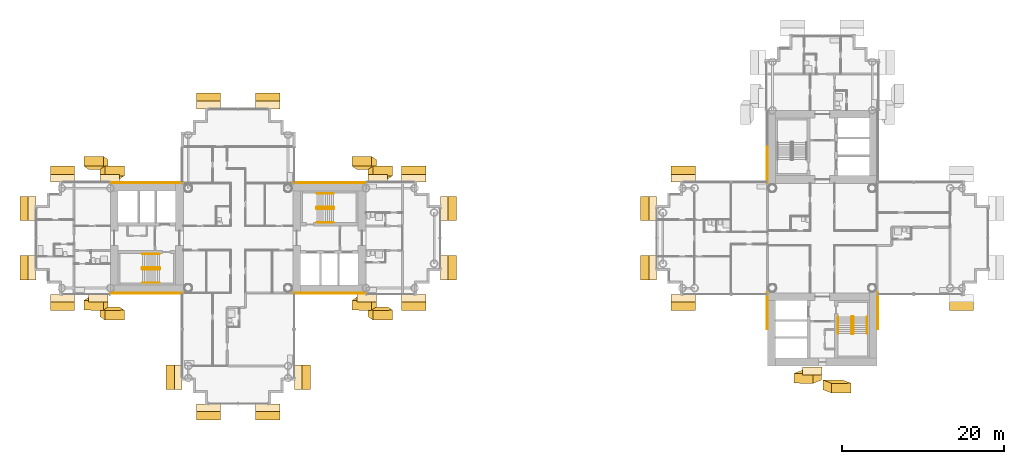
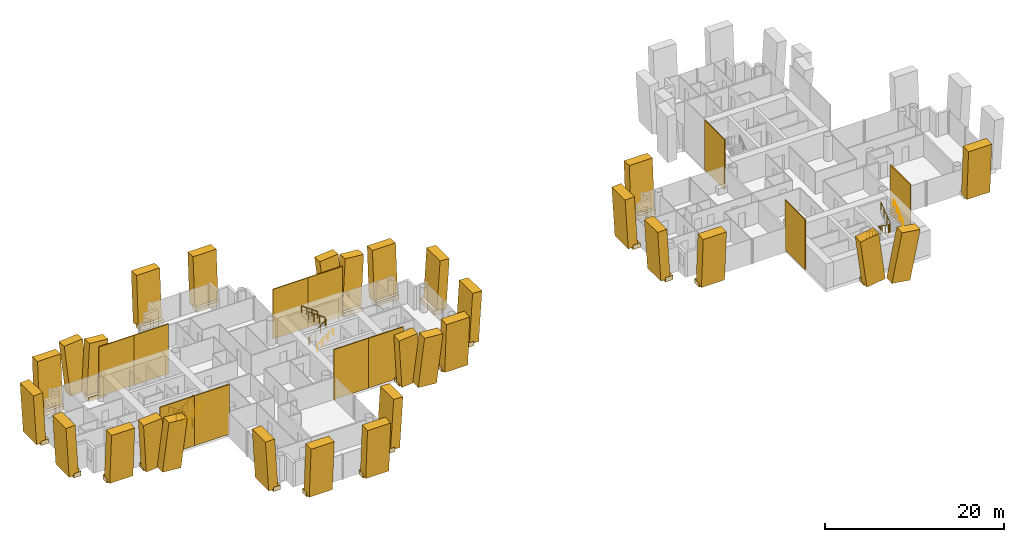
# One storey, part 19 of 21: 63 coverings, 9 railings.
"""IFC4 building model written with IfcOpenShell, lengths in metres."""

from ifc_helpers import new_model, si_unit, direction, frame, origin, origin_2d, place, context, subcontext, project, spatial, rectangle, circle, extrude, material, layer, layer_set, material_profile, profile_set, type_object, element, save


model = new_model("IFC4")

# Units and contexts
model_context = context("Model", 3, precision=1e-05, world=origin(), true_north=direction((0.0, 1.0)))
body_context = subcontext(model_context, "Body", "Model", "MODEL_VIEW")
ifc_project = project(units=[si_unit("LENGTHUNIT", "METRE"), si_unit("AREAUNIT", "SQUARE_METRE"), si_unit("VOLUMEUNIT", "CUBIC_METRE"), si_unit("PLANEANGLEUNIT", "RADIAN"), si_unit("MASSUNIT", "GRAM", prefix="KILO")], contexts=[model_context])

# Site, building, storey
site_placement = place(None, origin())
site = spatial("IfcSite", under=ifc_project, at=site_placement, CompositionType="ELEMENT")
building_placement = place(site_placement, origin())
building = spatial("IfcBuilding", under=site, at=building_placement, Name="Ipe Terrace Towers", CompositionType="ELEMENT")
storey_placement = place(building_placement, frame((0.0, 0.0, 107.199951171875)))
storey = spatial("IfcBuildingStorey", under=building, at=storey_placement, Name="L29", CompositionType="ELEMENT", Elevation=107.199951171875)

# Coverings
ifc_material_1 = material(Name="Concrete C50/60 precast, buff finish", Category="concrete")
ifc_layer = layer(ifc_material_1, 0.1201171875)
ifc_layer_set = layer_set([ifc_layer], Name="STONE CORE CLADDING 120")
covering_type_1 = type_object("IfcCoveringType", Name="STONE CORE CLADDING 120", PredefinedType="CLADDING", material=ifc_layer_set)
covering_1_placement = place(storey_placement, frame((-49.5009765625, -6.81005859375, 0.0), z_axis=(0.0, 0.0, 1.0), x_axis=(1.0, 0.0, 0.0)))
element("IfcCovering", 1, at=covering_1_placement, inside=storey, type_object=covering_type_1, Name="stone core cladding", PredefinedType="CLADDING", context=body_context, shape_type="SweptSolid", body=[
    extrude(rectangle(XDim=4.5009765625, YDim=0.1201171875, at=origin_2d()), origin(), (0.0, 0.0, 1.0), 6.800048828125),
])
covering_2_placement = place(storey_placement, frame((-45.0, -6.81005859375, 0.0), z_axis=(0.0, 0.0, 1.0), x_axis=(1.0, 0.0, 0.0)))
element("IfcCovering", 2, at=covering_2_placement, inside=storey, type_object=covering_type_1, Name="stone core cladding", PredefinedType="CLADDING", context=body_context, shape_type="SweptSolid", body=[
    extrude(rectangle(XDim=4.5, YDim=0.1201171875, at=origin_2d()), origin(), (0.0, 0.0, 1.0), 6.800048828125),
])
covering_3_placement = place(storey_placement, frame((-49.5009765625, 6.81005859375, 0.0), z_axis=(0.0, 0.0, 1.0), x_axis=(-1.0, 0.0, 0.0)))
element("IfcCovering", 3, at=covering_3_placement, inside=storey, type_object=covering_type_1, Name="stone core cladding", PredefinedType="CLADDING", context=body_context, shape_type="SweptSolid", body=[
    extrude(rectangle(XDim=4.5009765625, YDim=0.1201171875, at=origin_2d()), origin(), (0.0, 0.0, 1.0), 6.800048828125),
])
for number, where, z_axis, x_axis, name in (
    (4, (-45.0, 6.81005859375, 0.0), (0.0, 0.0, 1.0), (-1.0, 0.0, 0.0), "stone core cladding"),
    (5, (-27.0, -6.81005859375, 0.0), (0.0, 0.0, 1.0), (1.0, 0.0, 0.0), "stone core cladding"),
):
    element("IfcCovering", number, at=place(storey_placement, frame(where, z_axis=z_axis, x_axis=x_axis)), inside=storey, type_object=covering_type_1, Name=name, PredefinedType="CLADDING", context=body_context, shape_type="SweptSolid", body=[
        extrude(rectangle(XDim=4.5, YDim=0.1201171875, at=origin_2d()), origin(), (0.0, 0.0, 1.0), 6.800048828125),
    ])
covering_4_placement = place(storey_placement, frame((-22.4990234375, -6.81005859375, 0.0), z_axis=(0.0, 0.0, 1.0), x_axis=(1.0, 0.0, 0.0)))
element("IfcCovering", 6, at=covering_4_placement, inside=storey, type_object=covering_type_1, Name="stone core cladding", PredefinedType="CLADDING", context=body_context, shape_type="SweptSolid", body=[
    extrude(rectangle(XDim=4.5009765625, YDim=0.1201171875, at=origin_2d()), origin(), (0.0, 0.0, 1.0), 6.800048828125),
])
covering_5_placement = place(storey_placement, frame((-27.0, 6.81005859375, 0.0), z_axis=(0.0, 0.0, 1.0), x_axis=(-1.0, 0.0, 0.0)))
element("IfcCovering", 7, at=covering_5_placement, inside=storey, type_object=covering_type_1, Name="stone core cladding", PredefinedType="CLADDING", context=body_context, shape_type="SweptSolid", body=[
    extrude(rectangle(XDim=4.5, YDim=0.1201171875, at=origin_2d()), origin(), (0.0, 0.0, 1.0), 6.800048828125),
])
covering_6_placement = place(storey_placement, frame((-22.4990234375, 6.81005859375, 0.0), z_axis=(0.0, 0.0, 1.0), x_axis=(-1.0, 0.0, 0.0)))
element("IfcCovering", 8, at=covering_6_placement, inside=storey, type_object=covering_type_1, Name="stone core cladding", PredefinedType="CLADDING", context=body_context, shape_type="SweptSolid", body=[
    extrude(rectangle(XDim=4.5009765625, YDim=0.1201171875, at=origin_2d()), origin(), (0.0, 0.0, 1.0), 6.800048828125),
])
for number, where, z_axis, x_axis, name in (
    (9, (29.18994140625, -9.0, 0.0), (0.0, 0.0, 1.0), (0.0, -1.0, 0.0), "stone core cladding"),
    (10, (29.18994140625, 9.0, 0.0), (0.0, 0.0, 1.0), (0.0, -1.0, 0.0), "stone core cladding"),
    (11, (42.81005859375, -9.0, 0.0), (0.0, 0.0, 1.0), (0.0, 1.0, 0.0), "stone core cladding"),
):
    element("IfcCovering", number, at=place(storey_placement, frame(where, z_axis=z_axis, x_axis=x_axis)), inside=storey, type_object=covering_type_1, Name=name, PredefinedType="CLADDING", context=body_context, shape_type="SweptSolid", body=[
        extrude(rectangle(XDim=4.5, YDim=0.1201171875, at=origin_2d()), origin(), (0.0, 0.0, 1.0), 6.800048828125),
    ])
ifc_material_2 = material(Name="Concrete C50/60 precast, buff finish", Category="concrete")
ifc_material_profile_1 = material_profile(ifc_material_2, rectangle(XDim=2.39990234375, YDim=1.199951171875, at=origin_2d()), Name="STONE FIN 2400 x 1200")
ifc_profile_set_1 = profile_set([ifc_material_profile_1], Name="Concrete C50/60 precast, buff finish")
covering_type_2 = type_object("IfcCoveringType", Name="STONE FIN 2400 x 1200", PredefinedType="USERDEFINED", material=ifc_profile_set_1)
for number, where, z_axis, x_axis, name in (
    (12, (-18.77392578125, -9.072998046875, 0.0), (0.086717948488, -0.060691853614, 0.994382469835), (0.996232903196, 0.005282974506, -0.086556875927), "stone fin"),
    (13, (-18.77392578125, 7.873046875, 0.0), (0.086717948488, 0.060691853614, 0.994382469835), (-0.996232903196, 0.005282974506, 0.086556875927), "stone fin"),
    (14, (-20.176025390625, -7.873046875, 0.0), (-0.086717948488, -0.060691853614, 0.994382469835), (0.996232903196, -0.005282974506, 0.086556875927), "stone fin"),
    (15, (-20.176025390625, 9.072998046875, 0.0), (-0.086717948488, 0.060691853614, 0.994382469835), (-0.996232903196, -0.005282974506, -0.086556875927), "stone fin"),
    (16, (-51.823974609375, -9.072998046875, 0.0), (0.086717948488, -0.060691853614, 0.994382469835), (0.996232903196, 0.005282974506, -0.086556875927), "stone fin"),
    (17, (-51.823974609375, 7.873046875, 0.0), (0.086717948488, 0.060691853614, 0.994382469835), (-0.996232903196, 0.005282974506, 0.086556875927), "stone fin"),
    (18, (-53.22607421875, -7.873046875, 0.0), (-0.086717948488, -0.060691853614, 0.994382469835), (0.996232903196, -0.005282974506, 0.086556875927), "stone fin"),
    (19, (-53.22607421875, 9.072998046875, 0.0), (-0.086717948488, 0.060691853614, 0.994382469835), (-0.996232903196, -0.005282974506, -0.086556875927), "stone fin"),
):
    element("IfcCovering", number, at=place(storey_placement, frame(where, z_axis=z_axis, x_axis=x_axis)), inside=storey, type_object=covering_type_2, Name=name, ObjectType="FIN", PredefinedType="USERDEFINED", context=body_context, shape_type="SweptSolid", body=[
        extrude(rectangle(XDim=2.39990234375, YDim=1.199951171875, at=origin_2d()), origin(), (0.0, 0.0, 1.0), 6.83837890625),
    ])
for number, where, z_axis, x_axis, name in (
    (20, (34.73291015625, -16.873046875, 0.0), (-0.155581739116, -0.060179512286, 0.985988209237), (0.987823021828, -0.009478249627, 0.155292756851), "stone fin"),
    (21, (37.26708984375, -18.072998046875, 0.0), (0.155581739116, -0.060179512286, 0.985988209237), (0.987823021828, 0.009478249627, -0.155292756851), "stone fin"),
):
    element("IfcCovering", number, at=place(storey_placement, frame(where, z_axis=z_axis, x_axis=x_axis)), inside=storey, type_object=covering_type_2, Name=name, ObjectType="FIN", PredefinedType="USERDEFINED", context=body_context, shape_type="SweptSolid", body=[
        extrude(rectangle(XDim=2.39990234375, YDim=1.199951171875, at=origin_2d()), origin(), (0.0, 0.0, 1.0), 6.896728515625),
    ])
ifc_material_3 = material(Name="Concrete C50/60 precast, buff finish", Category="concrete")
ifc_material_profile_2 = material_profile(ifc_material_3, rectangle(XDim=3.0, YDim=1.199951171875, at=origin_2d()), Name="STONE FIN CORNER 3000 x 1200")
ifc_profile_set_2 = profile_set([ifc_material_profile_2], Name="Concrete C50/60 precast, buff finish")
covering_type_3 = type_object("IfcCoveringType", Name="STONE FIN CORNER 3000 x 1200", PredefinedType="USERDEFINED", material=ifc_profile_set_2)
for number, where, z_axis, x_axis, name in (
    (22, (-10.126953125, -3.64990234375, 0.0), (0.060921350238, 0.0, 0.998142569519), (0.0, 1.0, 0.0), "stone fin"),
    (23, (-10.126953125, 3.64990234375, 0.0), (0.060921350238, 0.0, 0.998142569519), (0.0, 1.0, 0.0), "stone fin"),
    (24, (-14.35009765625, -7.873046875, 0.0), (0.0, -0.060921350238, 0.998142569519), (1.0, 0.0, 0.0), "stone fin"),
    (25, (-14.35009765625, 7.873046875, 0.0), (0.0, 0.060921350238, 0.998142569519), (-1.0, 0.0, 0.0), "stone fin"),
    (26, (-28.126953125, -17.14990234375, 0.0), (0.060921350238, 0.0, 0.998142569519), (0.0, 1.0, 0.0), "stone fin"),
    (27, (-32.35009765625, -21.373046875, 0.0), (0.0, -0.060921350238, 0.998142569519), (1.0, 0.0, 0.0), "stone fin"),
    (28, (-32.35009765625, 16.873046875, 0.0), (0.0, 0.060921350238, 0.998142569519), (-1.0, 0.0, 0.0), "stone fin"),
    (29, (-39.64990234375, -21.373046875, 0.0), (0.0, -0.060921350238, 0.998142569519), (1.0, 0.0, 0.0), "stone fin"),
    (30, (-39.64990234375, 16.873046875, 0.0), (0.0, 0.060921350238, 0.998142569519), (-1.0, 0.0, 0.0), "stone fin"),
    (31, (-43.873046875, -17.14990234375, 0.0), (-0.060921350238, 0.0, 0.998142569519), (0.0, -1.0, 0.0), "stone fin"),
    (32, (-57.64990234375, -7.873046875, 0.0), (0.0, -0.060921350238, 0.998142569519), (1.0, 0.0, 0.0), "stone fin"),
    (33, (-57.64990234375, 7.873046875, 0.0), (0.0, 0.060921350238, 0.998142569519), (-1.0, 0.0, 0.0), "stone fin"),
    (34, (-61.873046875, -3.64990234375, 0.0), (-0.060921350238, 0.0, 0.998142569519), (0.0, -1.0, 0.0), "stone fin"),
    (35, (-61.873046875, 3.64990234375, 0.0), (-0.060921350238, 0.0, 0.998142569519), (0.0, -1.0, 0.0), "stone fin"),
    (36, (14.626953125, -3.64990234375, 0.0), (-0.060921350238, 0.0, 0.998142569519), (0.0, -1.0, 0.0), "stone fin"),
    (37, (14.626953125, 3.64990234375, 0.0), (-0.060921350238, 0.0, 0.998142569519), (0.0, -1.0, 0.0), "stone fin"),
    (38, (18.85009765625, -7.873046875, 0.0), (0.0, -0.060921350238, 0.998142569519), (1.0, 0.0, 0.0), "stone fin"),
    (39, (18.85009765625, 7.873046875, 0.0), (0.0, 0.060921350238, 0.998142569519), (-1.0, 0.0, 0.0), "stone fin"),
    (40, (53.14990234375, -7.873046875, 0.0), (0.0, -0.060921350238, 0.998142569519), (1.0, 0.0, 0.0), "stone fin"),
):
    element("IfcCovering", number, at=place(storey_placement, frame(where, z_axis=z_axis, x_axis=x_axis)), inside=storey, type_object=covering_type_3, Name=name, ObjectType="FIN", PredefinedType="USERDEFINED", context=body_context, shape_type="SweptSolid", body=[
        extrude(rectangle(XDim=3.0, YDim=1.199951171875, at=origin_2d()), origin(), (0.0, 0.0, 1.0), 6.812744140625),
    ])
ifc_material_4 = material(Name="Concrete C50/60 precast, buff finish", Category="concrete")
covering_type_4 = type_object("IfcCoveringType", Name="STONE FIN SHELF 2400 x 600", PredefinedType="CLADDING", material=ifc_material_4)
covering_7_placement = place(storey_placement, frame((-18.77392578125, 7.39404296875, -0.35009765625), z_axis=(0.0, 0.0, 1.0), x_axis=(-1.0, 0.0, 0.0)))
element("IfcCovering", 41, at=covering_7_placement, inside=storey, type_object=covering_type_4, Name="stone fin shelf", PredefinedType="CLADDING", context=body_context, shape_type="SweptSolid", body=[
    extrude(rectangle(XDim=2.39990234375, YDim=0.95703125, at=origin_2d()), origin(), (0.0, 0.0, 1.0), 0.60009765625),
])
for number, where, z_axis, x_axis, name in (
    (42, (-20.176025390625, -7.366943359375, -0.35009765625), (0.0, 0.0, 1.0), (1.0, 0.0, 0.0), "stone fin shelf"),
    (43, (-51.823974609375, 7.366943359375, -0.35009765625), (0.0, 0.0, 1.0), (-1.0, 0.0, 0.0), "stone fin shelf"),
):
    element("IfcCovering", number, at=place(storey_placement, frame(where, z_axis=z_axis, x_axis=x_axis)), inside=storey, type_object=covering_type_4, Name=name, PredefinedType="CLADDING", context=body_context, shape_type="SweptSolid", body=[
        extrude(rectangle(XDim=2.39990234375, YDim=1.012939453125, at=origin_2d()), origin(), (0.0, 0.0, 1.0), 0.60009765625),
    ])
covering_8_placement = place(storey_placement, frame((-53.22607421875, -7.39404296875, -0.35009765625), z_axis=(0.0, 0.0, 1.0), x_axis=(1.0, 0.0, 0.0)))
element("IfcCovering", 44, at=covering_8_placement, inside=storey, type_object=covering_type_4, Name="stone fin shelf", PredefinedType="CLADDING", context=body_context, shape_type="SweptSolid", body=[
    extrude(rectangle(XDim=2.39990234375, YDim=0.95703125, at=origin_2d()), origin(), (0.0, 0.0, 1.0), 0.60009765625),
])
covering_9_placement = place(storey_placement, frame((34.73291015625, -16.366943359375, -0.35009765625), z_axis=(0.0, 0.0, 1.0), x_axis=(1.0, 0.0, 0.0)))
element("IfcCovering", 45, at=covering_9_placement, inside=storey, type_object=covering_type_4, Name="stone fin shelf", PredefinedType="CLADDING", context=body_context, shape_type="SweptSolid", body=[
    extrude(rectangle(XDim=2.39990234375, YDim=1.012939453125, at=origin_2d()), origin(), (0.0, 0.0, 1.0), 0.60009765625),
])
ifc_material_5 = material(Name="Concrete C50/60 precast, buff finish", Category="concrete")
covering_type_5 = type_object("IfcCoveringType", Name="STONE FIN SHELF 3000 x 600", PredefinedType="CLADDING", material=ifc_material_5)
for number, where, z_axis, x_axis, name in (
    (46, (-10.60595703125, -3.64990234375, -0.35009765625), (0.0, 0.0, 1.0), (0.0, 1.0, 0.0), "stone fin shelf"),
    (47, (-10.60595703125, 3.64990234375, -0.35009765625), (0.0, 0.0, 1.0), (0.0, 1.0, 0.0), "stone fin shelf"),
    (48, (-14.35009765625, -7.39404296875, -0.35009765625), (0.0, 0.0, 1.0), (1.0, 0.0, 0.0), "stone fin shelf"),
    (49, (-14.35009765625, 7.39404296875, -0.35009765625), (0.0, 0.0, 1.0), (-1.0, 0.0, 0.0), "stone fin shelf"),
    (50, (-28.60498046875, -17.14990234375, -0.35009765625), (0.0, 0.0, 1.0), (0.0, 1.0, 0.0), "stone fin shelf"),
    (51, (-32.35009765625, -20.89501953125, -0.35009765625), (0.0, 0.0, 1.0), (1.0, 0.0, 0.0), "stone fin shelf"),
    (52, (-32.35009765625, 16.39501953125, -0.35009765625), (0.0, 0.0, 1.0), (-1.0, 0.0, 0.0), "stone fin shelf"),
    (53, (-39.64990234375, -20.89501953125, -0.35009765625), (0.0, 0.0, 1.0), (1.0, 0.0, 0.0), "stone fin shelf"),
    (54, (-39.64990234375, 16.39501953125, -0.35009765625), (0.0, 0.0, 1.0), (-1.0, 0.0, 0.0), "stone fin shelf"),
    (55, (-43.39501953125, -17.14990234375, -0.35009765625), (0.0, 0.0, 1.0), (0.0, -1.0, 0.0), "stone fin shelf"),
    (56, (-57.64990234375, -7.39404296875, -0.35009765625), (0.0, 0.0, 1.0), (1.0, 0.0, 0.0), "stone fin shelf"),
    (57, (-57.64990234375, 7.39404296875, -0.35009765625), (0.0, 0.0, 1.0), (-1.0, 0.0, 0.0), "stone fin shelf"),
    (58, (-61.39501953125, -3.64990234375, -0.35009765625), (0.0, 0.0, 1.0), (0.0, -1.0, 0.0), "stone fin shelf"),
    (59, (-61.39501953125, 3.64990234375, -0.35009765625), (0.0, 0.0, 1.0), (0.0, -1.0, 0.0), "stone fin shelf"),
    (60, (15.10595703125, -3.64990234375, -0.35009765625), (0.0, 0.0, 1.0), (0.0, -1.0, 0.0), "stone fin shelf"),
    (61, (15.10595703125, 3.64990234375, -0.35009765625), (0.0, 0.0, 1.0), (0.0, -1.0, 0.0), "stone fin shelf"),
    (62, (18.85009765625, -7.39404296875, -0.35009765625), (0.0, 0.0, 1.0), (1.0, 0.0, 0.0), "stone fin shelf"),
    (63, (18.85009765625, 7.39404296875, -0.35009765625), (0.0, 0.0, 1.0), (-1.0, 0.0, 0.0), "stone fin shelf"),
):
    element("IfcCovering", number, at=place(storey_placement, frame(where, z_axis=z_axis, x_axis=x_axis)), inside=storey, type_object=covering_type_5, Name=name, PredefinedType="CLADDING", context=body_context, shape_type="SweptSolid", body=[
        extrude(rectangle(XDim=3.0, YDim=0.95703125, at=origin_2d()), origin(), (0.0, 0.0, 1.0), 0.60009765625),
    ])

# Railings
ifc_material_6 = material(Name="Steel S355", Category="steel")
railing_type_1 = type_object("IfcRailingType", Name="Stair guard 1100", PredefinedType="GUARDRAIL", material=ifc_material_6)
railing_1_placement = place(storey_placement, frame((-26.35009765625, 3.800048828125, 0.0)))
element("IfcRailing", 64, at=railing_1_placement, inside=storey, type_object=railing_type_1, Name="L29 T1-ST1 stair guard 1", PredefinedType="GUARDRAIL", context=body_context, shape_type="SweptSolid", body=[
    extrude(circle(Radius=0.02392578125, at=origin_2d()), frame((0.0, 0.0, 1.076171875), z_axis=(0.0, -1.0, 0.0), x_axis=(1.0, 0.0, 0.0)), (0.0, 0.0, 1.0), 0.150146484375),
    extrude(circle(Radius=0.02392578125, at=origin_2d()), frame((0.0, -0.150146484375, 1.076171875), z_axis=(0.248103849378, -0.246893586699, 0.936743314239), x_axis=(0.705375805398, 0.708833529934, 0.0)), (0.0, 0.0, 1.0), 0.20166015625),
    extrude(circle(Radius=0.02392578125, at=origin_2d()), frame((0.050048828125, -0.199951171875, 1.26513671875), z_axis=(0.809068575486, 0.0, 0.587714250432), x_axis=(0.0, 1.0, 0.0)), (0.0, 0.0, 1.0), 2.571044921875),
    extrude(circle(Radius=0.02392578125, at=origin_2d()), frame((2.130126953125, -0.199951171875, 2.77587890625), z_axis=(0.708833529934, 0.705375805398, 0.0), x_axis=(-0.705375805398, 0.708833529934, 0.0)), (0.0, 0.0, 1.0), 0.070556640625),
    extrude(circle(Radius=0.02392578125, at=origin_2d()), frame((2.18017578125, -0.150146484375, 2.77587890625), z_axis=(0.0, 1.0, 0.0), x_axis=(-1.0, 0.0, 0.0)), (0.0, 0.0, 1.0), 0.150146484375),
    extrude(circle(Radius=0.02392578125, at=origin_2d()), frame((2.18017578125, 0.0, 2.77587890625), z_axis=(-0.248029566107, 0.248029566107, 0.936462849596), x_axis=(-0.707106781187, -0.707106781187, 0.0)), (0.0, 0.0, 1.0), 0.201904296875),
    extrude(circle(Radius=0.02392578125, at=origin_2d()), frame((2.130126953125, 0.050048828125, 2.96484375), z_axis=(-0.809023421508, 0.0, 0.587776406001), x_axis=(0.0, -1.0, 0.0)), (0.0, 0.0, 1.0), 2.571044921875),
    extrude(circle(Radius=0.02099609375, at=origin_2d()), origin(), (0.0, 0.0, 1.0), 1.052001953125),
    extrude(circle(Radius=0.02099609375, at=origin_2d()), frame((0.0, -0.150146484375, 0.0)), (0.0, 0.0, 1.0), 1.052001953125),
    extrude(circle(Radius=0.02099609375, at=origin_2d()), frame((0.050048828125, -0.199951171875, 0.18896484375)), (0.0, 0.0, 1.0), 1.052001953125),
    extrude(circle(Radius=0.02099609375, at=origin_2d()), frame((0.743408203125, -0.199951171875, 0.692626953125)), (0.0, 0.0, 1.0), 1.052001953125),
    extrude(circle(Radius=0.02099609375, at=origin_2d()), frame((1.436767578125, -0.199951171875, 1.1962890625)), (0.0, 0.0, 1.0), 1.052001953125),
    extrude(circle(Radius=0.02099609375, at=origin_2d()), frame((2.130126953125, -0.199951171875, 1.699951171875)), (0.0, 0.0, 1.0), 1.052001953125),
    extrude(circle(Radius=0.02099609375, at=origin_2d()), frame((2.18017578125, -0.150146484375, 1.699951171875)), (0.0, 0.0, 1.0), 1.052001953125),
    extrude(circle(Radius=0.02099609375, at=origin_2d()), frame((2.18017578125, 0.0, 1.699951171875)), (0.0, 0.0, 1.0), 1.052001953125),
    extrude(circle(Radius=0.02099609375, at=origin_2d()), frame((2.130126953125, 0.050048828125, 1.888916015625)), (0.0, 0.0, 1.0), 1.052001953125),
    extrude(circle(Radius=0.02099609375, at=origin_2d()), frame((1.436767578125, 0.050048828125, 2.392578125)), (0.0, 0.0, 1.0), 1.052001953125),
    extrude(circle(Radius=0.02099609375, at=origin_2d()), frame((0.743408203125, 0.050048828125, 2.896484375)), (0.0, 0.0, 1.0), 1.052001953125),
    extrude(circle(Radius=0.02099609375, at=origin_2d()), frame((0.050048828125, 0.050048828125, 3.400146484375)), (0.0, 0.0, 1.0), 1.052001953125),
])
railing_2_placement = place(storey_placement, frame((-45.64990234375, -3.800048828125, 0.0)))
element("IfcRailing", 65, at=railing_2_placement, inside=storey, type_object=railing_type_1, Name="L29 T1-ST2 stair guard 1", PredefinedType="GUARDRAIL", context=body_context, shape_type="SweptSolid", body=[
    extrude(circle(Radius=0.02392578125, at=origin_2d()), frame((0.0, 0.0, 1.076171875), z_axis=(0.0, 1.0, 0.0), x_axis=(-1.0, 0.0, 0.0)), (0.0, 0.0, 1.0), 0.150146484375),
    extrude(circle(Radius=0.02392578125, at=origin_2d()), frame((0.0, 0.150146484375, 1.076171875), z_axis=(-0.248103849378, 0.246893586699, 0.936743314239), x_axis=(-0.705375805398, -0.708833529934, 0.0)), (0.0, 0.0, 1.0), 0.20166015625),
    extrude(circle(Radius=0.02392578125, at=origin_2d()), frame((-0.050048828125, 0.199951171875, 1.26513671875), z_axis=(-0.809068575486, 0.0, 0.587714250432), x_axis=(0.0, -1.0, 0.0)), (0.0, 0.0, 1.0), 2.571044921875),
    extrude(circle(Radius=0.02392578125, at=origin_2d()), frame((-2.130126953125, 0.199951171875, 2.77587890625), z_axis=(-0.708833529934, -0.705375805398, 0.0), x_axis=(0.705375805398, -0.708833529934, 0.0)), (0.0, 0.0, 1.0), 0.070556640625),
    extrude(circle(Radius=0.02392578125, at=origin_2d()), frame((-2.18017578125, 0.150146484375, 2.77587890625), z_axis=(0.0, -1.0, 0.0), x_axis=(1.0, 0.0, 0.0)), (0.0, 0.0, 1.0), 0.150146484375),
    extrude(circle(Radius=0.02392578125, at=origin_2d()), frame((-2.18017578125, 0.0, 2.77587890625), z_axis=(0.248029566107, -0.248029566107, 0.936462849596), x_axis=(0.707106781187, 0.707106781187, 0.0)), (0.0, 0.0, 1.0), 0.201904296875),
    extrude(circle(Radius=0.02392578125, at=origin_2d()), frame((-2.130126953125, -0.050048828125, 2.96484375), z_axis=(0.809023421508, 0.0, 0.587776406001), x_axis=(0.0, 1.0, 0.0)), (0.0, 0.0, 1.0), 2.571044921875),
    extrude(circle(Radius=0.02099609375, at=origin_2d()), origin(), (0.0, 0.0, 1.0), 1.052001953125),
    extrude(circle(Radius=0.02099609375, at=origin_2d()), frame((0.0, 0.150146484375, 0.0)), (0.0, 0.0, 1.0), 1.052001953125),
    extrude(circle(Radius=0.02099609375, at=origin_2d()), frame((-0.050048828125, 0.199951171875, 0.18896484375)), (0.0, 0.0, 1.0), 1.052001953125),
    extrude(circle(Radius=0.02099609375, at=origin_2d()), frame((-0.743408203125, 0.199951171875, 0.692626953125)), (0.0, 0.0, 1.0), 1.052001953125),
    extrude(circle(Radius=0.02099609375, at=origin_2d()), frame((-1.436767578125, 0.199951171875, 1.1962890625)), (0.0, 0.0, 1.0), 1.052001953125),
    extrude(circle(Radius=0.02099609375, at=origin_2d()), frame((-2.130126953125, 0.199951171875, 1.699951171875)), (0.0, 0.0, 1.0), 1.052001953125),
    extrude(circle(Radius=0.02099609375, at=origin_2d()), frame((-2.18017578125, 0.150146484375, 1.699951171875)), (0.0, 0.0, 1.0), 1.052001953125),
    extrude(circle(Radius=0.02099609375, at=origin_2d()), frame((-2.18017578125, 0.0, 1.699951171875)), (0.0, 0.0, 1.0), 1.052001953125),
    extrude(circle(Radius=0.02099609375, at=origin_2d()), frame((-2.130126953125, -0.050048828125, 1.888916015625)), (0.0, 0.0, 1.0), 1.052001953125),
    extrude(circle(Radius=0.02099609375, at=origin_2d()), frame((-1.436767578125, -0.050048828125, 2.392578125)), (0.0, 0.0, 1.0), 1.052001953125),
    extrude(circle(Radius=0.02099609375, at=origin_2d()), frame((-0.743408203125, -0.050048828125, 2.896484375)), (0.0, 0.0, 1.0), 1.052001953125),
    extrude(circle(Radius=0.02099609375, at=origin_2d()), frame((-0.050048828125, -0.050048828125, 3.400146484375)), (0.0, 0.0, 1.0), 1.052001953125),
])
railing_3_placement = place(storey_placement, frame((39.800048828125, -9.64990234375, 0.0)))
element("IfcRailing", 66, at=railing_3_placement, inside=storey, type_object=railing_type_1, Name="L29 T2-ST2 stair guard 1", PredefinedType="GUARDRAIL", context=body_context, shape_type="SweptSolid", body=[
    extrude(circle(Radius=0.02392578125, at=origin_2d()), frame((0.0, 0.0, 1.076171875), z_axis=(-1.0, 0.0, 0.0), x_axis=(0.0, -1.0, 0.0)), (0.0, 0.0, 1.0), 0.150146484375),
    extrude(circle(Radius=0.02392578125, at=origin_2d()), frame((-0.150146484375, 0.0, 1.076171875), z_axis=(-0.246893586699, -0.248103849378, 0.936743314239), x_axis=(0.708833529934, -0.705375805398, 0.0)), (0.0, 0.0, 1.0), 0.20166015625),
    extrude(circle(Radius=0.02392578125, at=origin_2d()), frame((-0.199951171875, -0.050048828125, 1.26513671875), z_axis=(0.0, -0.809068575486, 0.587714250432), x_axis=(1.0, 0.0, 0.0)), (0.0, 0.0, 1.0), 2.571044921875),
    extrude(circle(Radius=0.02392578125, at=origin_2d()), frame((-0.199951171875, -2.130126953125, 2.77587890625), z_axis=(0.705375805398, -0.708833529934, 0.0), x_axis=(0.708833529934, 0.705375805398, 0.0)), (0.0, 0.0, 1.0), 0.070556640625),
    extrude(circle(Radius=0.02392578125, at=origin_2d()), frame((-0.150146484375, -2.18017578125, 2.77587890625), z_axis=(1.0, 0.0, 0.0), x_axis=(0.0, 1.0, 0.0)), (0.0, 0.0, 1.0), 0.150146484375),
    extrude(circle(Radius=0.02392578125, at=origin_2d()), frame((0.0, -2.18017578125, 2.77587890625), z_axis=(0.248029566107, 0.248029566107, 0.936462849596), x_axis=(-0.707106781187, 0.707106781187, 0.0)), (0.0, 0.0, 1.0), 0.201904296875),
    extrude(circle(Radius=0.02392578125, at=origin_2d()), frame((0.050048828125, -2.130126953125, 2.96484375), z_axis=(0.0, 0.809023421508, 0.587776406001), x_axis=(-1.0, 0.0, 0.0)), (0.0, 0.0, 1.0), 2.571044921875),
    extrude(circle(Radius=0.02099609375, at=origin_2d()), origin(), (0.0, 0.0, 1.0), 1.052001953125),
    extrude(circle(Radius=0.02099609375, at=origin_2d()), frame((-0.150146484375, 0.0, 0.0)), (0.0, 0.0, 1.0), 1.052001953125),
    extrude(circle(Radius=0.02099609375, at=origin_2d()), frame((-0.199951171875, -0.050048828125, 0.18896484375)), (0.0, 0.0, 1.0), 1.052001953125),
    extrude(circle(Radius=0.02099609375, at=origin_2d()), frame((-0.199951171875, -0.743408203125, 0.692626953125)), (0.0, 0.0, 1.0), 1.052001953125),
    extrude(circle(Radius=0.02099609375, at=origin_2d()), frame((-0.199951171875, -1.436767578125, 1.1962890625)), (0.0, 0.0, 1.0), 1.052001953125),
    extrude(circle(Radius=0.02099609375, at=origin_2d()), frame((-0.199951171875, -2.130126953125, 1.699951171875)), (0.0, 0.0, 1.0), 1.052001953125),
    extrude(circle(Radius=0.02099609375, at=origin_2d()), frame((-0.150146484375, -2.18017578125, 1.699951171875)), (0.0, 0.0, 1.0), 1.052001953125),
    extrude(circle(Radius=0.02099609375, at=origin_2d()), frame((0.0, -2.18017578125, 1.699951171875)), (0.0, 0.0, 1.0), 1.052001953125),
    extrude(circle(Radius=0.02099609375, at=origin_2d()), frame((0.050048828125, -2.130126953125, 1.888916015625)), (0.0, 0.0, 1.0), 1.052001953125),
    extrude(circle(Radius=0.02099609375, at=origin_2d()), frame((0.050048828125, -1.436767578125, 2.392578125)), (0.0, 0.0, 1.0), 1.052001953125),
    extrude(circle(Radius=0.02099609375, at=origin_2d()), frame((0.050048828125, -0.743408203125, 2.896484375)), (0.0, 0.0, 1.0), 1.052001953125),
    extrude(circle(Radius=0.02099609375, at=origin_2d()), frame((0.050048828125, -0.050048828125, 3.400146484375)), (0.0, 0.0, 1.0), 1.052001953125),
])
ifc_material_7 = material(Name="Stainless steel grade 304", Category="steel")
railing_type_2 = type_object("IfcRailingType", Name="Stair handrail 900", PredefinedType="HANDRAIL", material=ifc_material_7)
railing_4_placement = place(storey_placement, frame((-26.300048828125, 1.949951171875, 0.18896484375)))
element("IfcRailing", 67, at=railing_4_placement, inside=storey, type_object=railing_type_2, Name="L29 T1-ST1 stair handrail 1", PredefinedType="HANDRAIL", context=body_context, shape_type="SweptSolid", body=[
    extrude(circle(Radius=0.02392578125, at=origin_2d()), frame((0.0, 0.0, 0.8759765625), z_axis=(0.809068575486, 0.0, 0.587714250432), x_axis=(0.0, 1.0, 0.0)), (0.0, 0.0, 1.0), 2.571044921875),
    extrude(circle(Radius=0.02099609375, at=origin_2d()), origin(), (0.0, 0.0, 1.0), 0.851806640625),
    extrude(circle(Radius=0.02099609375, at=origin_2d()), frame((0.693359375, 0.0, 0.503662109375)), (0.0, 0.0, 1.0), 0.851806640625),
    extrude(circle(Radius=0.02099609375, at=origin_2d()), frame((1.38671875, 0.0, 1.00732421875)), (0.0, 0.0, 1.0), 0.851806640625),
    extrude(circle(Radius=0.02099609375, at=origin_2d()), frame((2.080078125, 0.0, 1.510986328125)), (0.0, 0.0, 1.0), 0.851806640625),
])
railing_5_placement = place(storey_placement, frame((-24.219970703125, 5.5, 1.888916015625)))
element("IfcRailing", 68, at=railing_5_placement, inside=storey, type_object=railing_type_2, Name="L29 T1-ST1 stair handrail 2", PredefinedType="HANDRAIL", context=body_context, shape_type="SweptSolid", body=[
    extrude(circle(Radius=0.02392578125, at=origin_2d()), frame((0.0, 0.0, 0.8759765625), z_axis=(-0.809023421508, 0.0, 0.587776406001), x_axis=(0.0, -1.0, 0.0)), (0.0, 0.0, 1.0), 2.571044921875),
    extrude(circle(Radius=0.02099609375, at=origin_2d()), origin(), (0.0, 0.0, 1.0), 0.851806640625),
    extrude(circle(Radius=0.02099609375, at=origin_2d()), frame((-0.693359375, 0.0, 0.503662109375)), (0.0, 0.0, 1.0), 0.851806640625),
    extrude(circle(Radius=0.02099609375, at=origin_2d()), frame((-1.38671875, 0.0, 1.007568359375)), (0.0, 0.0, 1.0), 0.851806640625),
    extrude(circle(Radius=0.02099609375, at=origin_2d()), frame((-2.080078125, 0.0, 1.51123046875)), (0.0, 0.0, 1.0), 0.851806640625),
])
railing_6_placement = place(storey_placement, frame((-45.699951171875, -1.949951171875, 0.18896484375)))
element("IfcRailing", 69, at=railing_6_placement, inside=storey, type_object=railing_type_2, Name="L29 T1-ST2 stair handrail 1", PredefinedType="HANDRAIL", context=body_context, shape_type="SweptSolid", body=[
    extrude(circle(Radius=0.02392578125, at=origin_2d()), frame((0.0, 0.0, 0.8759765625), z_axis=(-0.809068575486, 0.0, 0.587714250432), x_axis=(0.0, -1.0, 0.0)), (0.0, 0.0, 1.0), 2.571044921875),
    extrude(circle(Radius=0.02099609375, at=origin_2d()), origin(), (0.0, 0.0, 1.0), 0.851806640625),
    extrude(circle(Radius=0.02099609375, at=origin_2d()), frame((-0.693359375, 0.0, 0.503662109375)), (0.0, 0.0, 1.0), 0.851806640625),
    extrude(circle(Radius=0.02099609375, at=origin_2d()), frame((-1.38671875, 0.0, 1.00732421875)), (0.0, 0.0, 1.0), 0.851806640625),
    extrude(circle(Radius=0.02099609375, at=origin_2d()), frame((-2.080078125, 0.0, 1.510986328125)), (0.0, 0.0, 1.0), 0.851806640625),
])
railing_7_placement = place(storey_placement, frame((-47.780029296875, -5.5, 1.888916015625)))
element("IfcRailing", 70, at=railing_7_placement, inside=storey, type_object=railing_type_2, Name="L29 T1-ST2 stair handrail 2", PredefinedType="HANDRAIL", context=body_context, shape_type="SweptSolid", body=[
    extrude(circle(Radius=0.02392578125, at=origin_2d()), frame((0.0, 0.0, 0.8759765625), z_axis=(0.809023421508, 0.0, 0.587776406001), x_axis=(0.0, 1.0, 0.0)), (0.0, 0.0, 1.0), 2.571044921875),
    extrude(circle(Radius=0.02099609375, at=origin_2d()), origin(), (0.0, 0.0, 1.0), 0.851806640625),
    extrude(circle(Radius=0.02099609375, at=origin_2d()), frame((0.693359375, 0.0, 0.503662109375)), (0.0, 0.0, 1.0), 0.851806640625),
    extrude(circle(Radius=0.02099609375, at=origin_2d()), frame((1.38671875, 0.0, 1.007568359375)), (0.0, 0.0, 1.0), 0.851806640625),
    extrude(circle(Radius=0.02099609375, at=origin_2d()), frame((2.080078125, 0.0, 1.51123046875)), (0.0, 0.0, 1.0), 0.851806640625),
])
railing_8_placement = place(storey_placement, frame((37.949951171875, -9.699951171875, 0.18896484375)))
element("IfcRailing", 71, at=railing_8_placement, inside=storey, type_object=railing_type_2, Name="L29 T2-ST2 stair handrail 1", PredefinedType="HANDRAIL", context=body_context, shape_type="SweptSolid", body=[
    extrude(circle(Radius=0.02392578125, at=origin_2d()), frame((0.0, 0.0, 0.8759765625), z_axis=(0.0, -0.809068575486, 0.587714250432), x_axis=(1.0, 0.0, 0.0)), (0.0, 0.0, 1.0), 2.571044921875),
    extrude(circle(Radius=0.02099609375, at=origin_2d()), origin(), (0.0, 0.0, 1.0), 0.851806640625),
    extrude(circle(Radius=0.02099609375, at=origin_2d()), frame((0.0, -0.693359375, 0.503662109375)), (0.0, 0.0, 1.0), 0.851806640625),
    extrude(circle(Radius=0.02099609375, at=origin_2d()), frame((0.0, -1.38671875, 1.00732421875)), (0.0, 0.0, 1.0), 0.851806640625),
    extrude(circle(Radius=0.02099609375, at=origin_2d()), frame((0.0, -2.080078125, 1.510986328125)), (0.0, 0.0, 1.0), 0.851806640625),
])
railing_9_placement = place(storey_placement, frame((41.5, -11.780029296875, 1.888916015625)))
element("IfcRailing", 72, at=railing_9_placement, inside=storey, type_object=railing_type_2, Name="L29 T2-ST2 stair handrail 2", PredefinedType="HANDRAIL", context=body_context, shape_type="SweptSolid", body=[
    extrude(circle(Radius=0.02392578125, at=origin_2d()), frame((0.0, 0.0, 0.8759765625), z_axis=(0.0, 0.809023421508, 0.587776406001), x_axis=(-1.0, 0.0, 0.0)), (0.0, 0.0, 1.0), 2.571044921875),
    extrude(circle(Radius=0.02099609375, at=origin_2d()), origin(), (0.0, 0.0, 1.0), 0.851806640625),
    extrude(circle(Radius=0.02099609375, at=origin_2d()), frame((0.0, 0.693359375, 0.503662109375)), (0.0, 0.0, 1.0), 0.851806640625),
    extrude(circle(Radius=0.02099609375, at=origin_2d()), frame((0.0, 1.38671875, 1.007568359375)), (0.0, 0.0, 1.0), 0.851806640625),
    extrude(circle(Radius=0.02099609375, at=origin_2d()), frame((0.0, 2.080078125, 1.51123046875)), (0.0, 0.0, 1.0), 0.851806640625),
])

save(model, "model.ifc")
